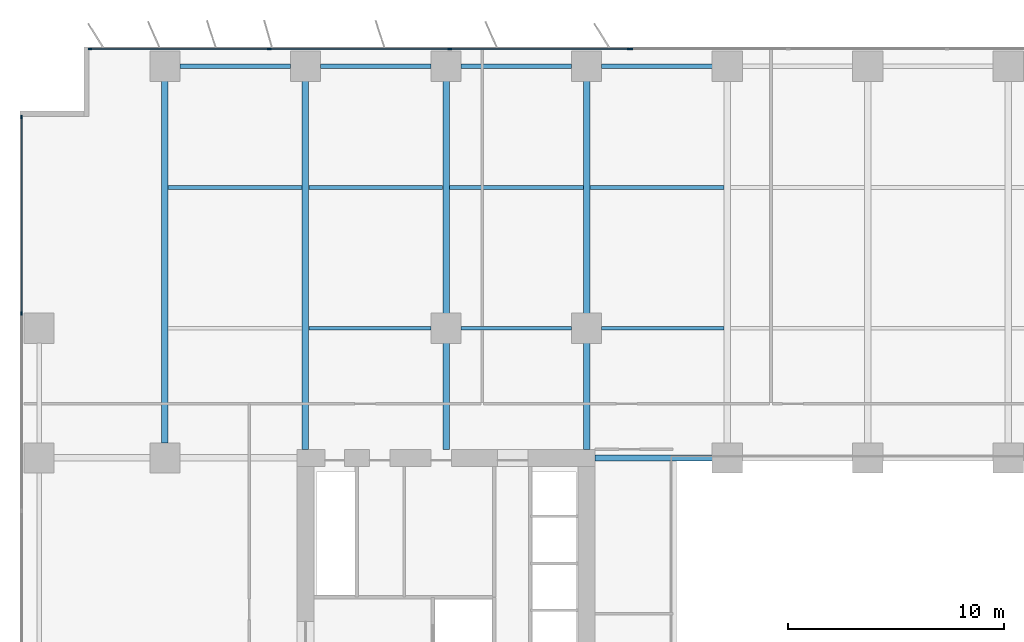
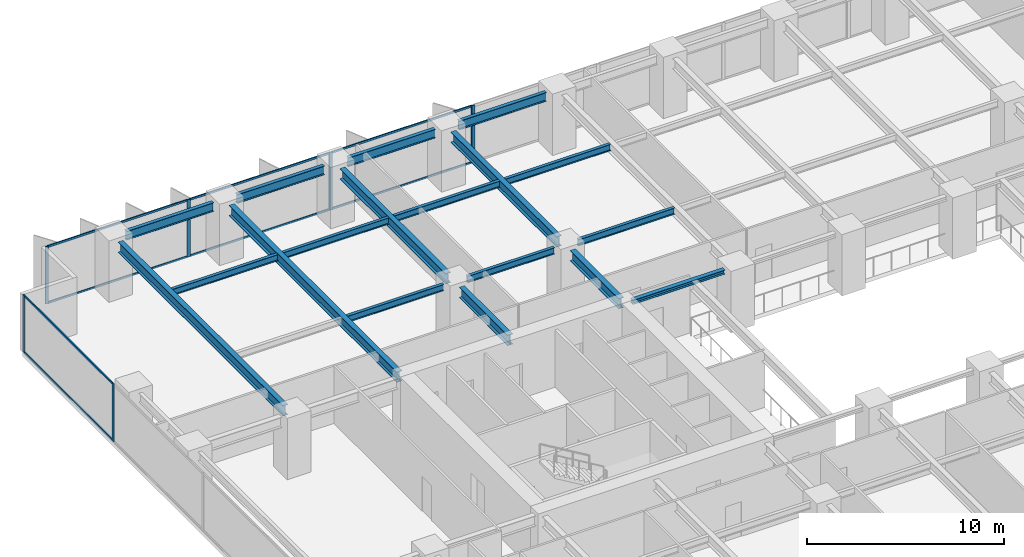
# One storey, part 7 of 20: 18 beams, 15 members, 3 elements without a shape of their own.
"""IFC4 building model written with IfcOpenShell, lengths in metres."""

from ifc_helpers import new_model, si_unit, direction, frame, origin, origin_2d, place, context, subcontext, project, spatial, rectangle, i_section, extrude, material, layer, layer_set, material_profile, profile_set, type_object, element, aggregate, save


model = new_model("IFC4")

# Units and contexts
model_context = context("Model", 3, precision=1e-05, world=origin(), true_north=direction((0.0, 1.0)))
body_context = subcontext(model_context, "Body", "Model", "MODEL_VIEW")
ifc_project = project(units=[si_unit("LENGTHUNIT", "METRE"), si_unit("AREAUNIT", "SQUARE_METRE"), si_unit("VOLUMEUNIT", "CUBIC_METRE"), si_unit("PLANEANGLEUNIT", "RADIAN"), si_unit("MASSUNIT", "GRAM", prefix="KILO")], contexts=[model_context])

# Site, building, storey
site_placement = place(None, origin())
site = spatial("IfcSite", under=ifc_project, at=site_placement, CompositionType="ELEMENT")
building_placement = place(site_placement, origin())
building = spatial("IfcBuilding", under=site, at=building_placement, Name="Putna Gate Headquarters", CompositionType="ELEMENT")
storey_placement = place(building_placement, frame((0.0, 0.0, 69.60009765625)))
storey = spatial("IfcBuildingStorey", under=building, at=storey_placement, Name="L16", CompositionType="ELEMENT", Elevation=69.60009765625)

# Beams
ifc_material_1 = material(Name="Steel S355J2", Category="steel")
ifc_material_profile_1 = material_profile(ifc_material_1, i_section(OverallWidth=0.260009765625, OverallDepth=0.260009765625, WebThickness=0.010009765625, FlangeThickness=0.017578125, at=origin_2d()), Name="Steel S355J2")
ifc_profile_set_1 = profile_set([ifc_material_profile_1], Name="Steel S355J2")
beam_type_1 = type_object("IfcBeamType", Name="BM-ATRIUM-HEB260", PredefinedType="BEAM", material=ifc_profile_set_1)
beam_1_placement = place(storey_placement, frame((26.385009765625, 33.0, 3.419921875), z_axis=(1.0, 0.0, 0.0), x_axis=(0.0, 1.0, 0.0)))
element("IfcBeam", 1, at=beam_1_placement, inside=storey, type_object=beam_type_1, Name="L16 Atrium Edge Beam AN1", PredefinedType="BEAM", context=body_context, shape_type="SweptSolid", body=[
    extrude(i_section(OverallWidth=0.260009765625, OverallDepth=0.260009765625, WebThickness=0.010009765625, FlangeThickness=0.017578125, at=origin_2d()), origin(), (0.0, 0.0, 1.0), 5.427001953125),
])
ifc_material_profile_2 = material_profile(ifc_material_1, i_section(OverallWidth=0.300048828125, OverallDepth=0.64990234375, WebThickness=0.01611328125, FlangeThickness=0.031005859375, at=origin_2d()), Name="Steel S355J2")
ifc_profile_set_2 = profile_set([ifc_material_profile_2], Name="Steel S355J2")
beam_type_2 = type_object("IfcBeamType", Name="BM-GIRD-Z1-HEB650", PredefinedType="USERDEFINED", material=ifc_profile_set_2)
beam_2_placement = place(storey_placement, frame((6.5, 33.68798828125, 3.224853515625), z_axis=(0.0, 1.0, 0.0), x_axis=(-1.0, 0.0, 0.0)))
element("IfcBeam", 2, at=beam_2_placement, inside=storey, type_object=beam_type_2, Name="L16 North Primary Girder X6", ObjectType="GIRDER", PredefinedType="USERDEFINED", context=body_context, shape_type="SweptSolid", body=[
    extrude(i_section(OverallWidth=0.300048828125, OverallDepth=0.64990234375, WebThickness=0.01611328125, FlangeThickness=0.031005859375, at=origin_2d()), origin(), (0.0, 0.0, 1.0), 16.743896484375),
])
beam_3_placement = place(storey_placement, frame((13.0, 33.385009765625, 3.224853515625), z_axis=(0.0, 1.0, 0.0), x_axis=(-1.0, 0.0, 0.0)))
element("IfcBeam", 3, at=beam_3_placement, inside=storey, type_object=beam_type_2, Name="L16 North Primary Girder X13", ObjectType="GIRDER", PredefinedType="USERDEFINED", context=body_context, shape_type="SweptSolid", body=[
    extrude(i_section(OverallWidth=0.300048828125, OverallDepth=0.64990234375, WebThickness=0.01611328125, FlangeThickness=0.031005859375, at=origin_2d()), origin(), (0.0, 0.0, 1.0), 17.046875),
])
beam_4_placement = place(storey_placement, frame((19.5, 33.385009765625, 3.224853515625), z_axis=(0.0, 1.0, 0.0), x_axis=(-1.0, 0.0, 0.0)))
element("IfcBeam", 4, at=beam_4_placement, inside=storey, type_object=beam_type_2, Name="L16 North Primary Girder X19-1", ObjectType="GIRDER", PredefinedType="USERDEFINED", context=body_context, shape_type="SweptSolid", body=[
    extrude(i_section(OverallWidth=0.300048828125, OverallDepth=0.64990234375, WebThickness=0.01611328125, FlangeThickness=0.031005859375, at=origin_2d()), origin(), (0.0, 0.0, 1.0), 4.927001953125),
])
beam_5_placement = place(storey_placement, frame((19.5, 39.68798828125, 3.224853515625), z_axis=(0.0, 1.0, 0.0), x_axis=(-1.0, 0.0, 0.0)))
element("IfcBeam", 5, at=beam_5_placement, inside=storey, type_object=beam_type_2, Name="L16 North Primary Girder X19-2", ObjectType="GIRDER", PredefinedType="USERDEFINED", context=body_context, shape_type="SweptSolid", body=[
    extrude(i_section(OverallWidth=0.300048828125, OverallDepth=0.64990234375, WebThickness=0.01611328125, FlangeThickness=0.031005859375, at=origin_2d()), origin(), (0.0, 0.0, 1.0), 10.743896484375),
])
beam_6_placement = place(storey_placement, frame((26.0, 33.385009765625, 3.224853515625), z_axis=(0.0, 1.0, 0.0), x_axis=(-1.0, 0.0, 0.0)))
element("IfcBeam", 6, at=beam_6_placement, inside=storey, type_object=beam_type_2, Name="L16 North Primary Girder X26-1", ObjectType="GIRDER", PredefinedType="USERDEFINED", context=body_context, shape_type="SweptSolid", body=[
    extrude(i_section(OverallWidth=0.300048828125, OverallDepth=0.64990234375, WebThickness=0.01611328125, FlangeThickness=0.031005859375, at=origin_2d()), origin(), (0.0, 0.0, 1.0), 4.927001953125),
])
beam_7_placement = place(storey_placement, frame((26.0, 39.68798828125, 3.224853515625), z_axis=(0.0, 1.0, 0.0), x_axis=(-1.0, 0.0, 0.0)))
element("IfcBeam", 7, at=beam_7_placement, inside=storey, type_object=beam_type_2, Name="L16 North Primary Girder X26-2", ObjectType="GIRDER", PredefinedType="USERDEFINED", context=body_context, shape_type="SweptSolid", body=[
    extrude(i_section(OverallWidth=0.300048828125, OverallDepth=0.64990234375, WebThickness=0.01611328125, FlangeThickness=0.031005859375, at=origin_2d()), origin(), (0.0, 0.0, 1.0), 10.743896484375),
])
ifc_material_profile_3 = material_profile(ifc_material_1, i_section(OverallWidth=0.179931640625, OverallDepth=0.39990234375, WebThickness=0.008544921875, FlangeThickness=0.013427734375, at=origin_2d()), Name="Steel S355J2")
ifc_profile_set_3 = profile_set([ifc_material_profile_3], Name="Steel S355J2")
beam_type_3 = type_object("IfcBeamType", Name="BM-SEC-Z1-IPE400", PredefinedType="BEAM", material=ifc_profile_set_3)
beam_8_placement = place(storey_placement, frame((6.654052734375, 45.5, 3.349853515625), z_axis=(1.0, 0.0, 0.0), x_axis=(0.0, 1.0, 0.0)))
element("IfcBeam", 8, at=beam_8_placement, inside=storey, type_object=beam_type_3, Name="L16 North Secondary Beam 1", PredefinedType="BEAM", context=body_context, shape_type="SweptSolid", body=[
    extrude(i_section(OverallWidth=0.179931640625, OverallDepth=0.39990234375, WebThickness=0.008544921875, FlangeThickness=0.013427734375, at=origin_2d()), origin(), (0.0, 0.0, 1.0), 6.19189453125),
])
beam_9_placement = place(storey_placement, frame((13.154052734375, 39.0, 3.349853515625), z_axis=(1.0, 0.0, 0.0), x_axis=(0.0, 1.0, 0.0)))
element("IfcBeam", 9, at=beam_9_placement, inside=storey, type_object=beam_type_3, Name="L16 North Secondary Beam 2", PredefinedType="BEAM", context=body_context, shape_type="SweptSolid", body=[
    extrude(i_section(OverallWidth=0.179931640625, OverallDepth=0.39990234375, WebThickness=0.008544921875, FlangeThickness=0.013427734375, at=origin_2d()), origin(), (0.0, 0.0, 1.0), 5.657958984375),
])
beam_10_placement = place(storey_placement, frame((13.154052734375, 45.5, 3.349853515625), z_axis=(1.0, 0.0, 0.0), x_axis=(0.0, 1.0, 0.0)))
element("IfcBeam", 10, at=beam_10_placement, inside=storey, type_object=beam_type_3, Name="L16 North Secondary Beam 2", PredefinedType="BEAM", context=body_context, shape_type="SweptSolid", body=[
    extrude(i_section(OverallWidth=0.179931640625, OverallDepth=0.39990234375, WebThickness=0.008544921875, FlangeThickness=0.013427734375, at=origin_2d()), origin(), (0.0, 0.0, 1.0), 6.19189453125),
])
beam_11_placement = place(storey_placement, frame((20.18798828125, 39.0, 3.349853515625), z_axis=(1.0, 0.0, 0.0), x_axis=(0.0, 1.0, 0.0)))
element("IfcBeam", 11, at=beam_11_placement, inside=storey, type_object=beam_type_3, Name="L16 North Secondary Beam 3", PredefinedType="BEAM", context=body_context, shape_type="SweptSolid", body=[
    extrude(i_section(OverallWidth=0.179931640625, OverallDepth=0.39990234375, WebThickness=0.008544921875, FlangeThickness=0.013427734375, at=origin_2d()), origin(), (0.0, 0.0, 1.0), 5.1240234375),
])
beam_12_placement = place(storey_placement, frame((19.654052734375, 45.5, 3.349853515625), z_axis=(1.0, 0.0, 0.0), x_axis=(0.0, 1.0, 0.0)))
element("IfcBeam", 12, at=beam_12_placement, inside=storey, type_object=beam_type_3, Name="L16 North Secondary Beam 3", PredefinedType="BEAM", context=body_context, shape_type="SweptSolid", body=[
    extrude(i_section(OverallWidth=0.179931640625, OverallDepth=0.39990234375, WebThickness=0.008544921875, FlangeThickness=0.013427734375, at=origin_2d()), origin(), (0.0, 0.0, 1.0), 6.19189453125),
])
beam_13_placement = place(storey_placement, frame((26.68798828125, 39.0, 3.349853515625), z_axis=(1.0, 0.0, 0.0), x_axis=(0.0, 1.0, 0.0)))
element("IfcBeam", 13, at=beam_13_placement, inside=storey, type_object=beam_type_3, Name="L16 North Secondary Beam 4", PredefinedType="BEAM", context=body_context, shape_type="SweptSolid", body=[
    extrude(i_section(OverallWidth=0.179931640625, OverallDepth=0.39990234375, WebThickness=0.008544921875, FlangeThickness=0.013427734375, at=origin_2d()), origin(), (0.0, 0.0, 1.0), 5.657958984375),
])
beam_14_placement = place(storey_placement, frame((26.154052734375, 45.5, 3.349853515625), z_axis=(1.0, 0.0, 0.0), x_axis=(0.0, 1.0, 0.0)))
element("IfcBeam", 14, at=beam_14_placement, inside=storey, type_object=beam_type_3, Name="L16 North Secondary Beam 4", PredefinedType="BEAM", context=body_context, shape_type="SweptSolid", body=[
    extrude(i_section(OverallWidth=0.179931640625, OverallDepth=0.39990234375, WebThickness=0.008544921875, FlangeThickness=0.013427734375, at=origin_2d()), origin(), (0.0, 0.0, 1.0), 6.19189453125),
])
ifc_material_profile_4 = material_profile(ifc_material_1, i_section(OverallWidth=0.2099609375, OverallDepth=0.550048828125, WebThickness=0.010986328125, FlangeThickness=0.01708984375, at=origin_2d()), Name="Steel S355J2")
ifc_profile_set_4 = profile_set([ifc_material_profile_4], Name="Steel S355J2")
beam_type_4 = type_object("IfcBeamType", Name="BM-SPAN-Z1-IPE550", PredefinedType="SPANDREL", material=ifc_profile_set_4)
for number, where, z_axis, x_axis, name in (
    (15, (7.18798828125, 51.1201171875, 3.27490234375), (1.0, 0.0, 0.0), (0.0, 1.0, 0.0), "L16 N Perimeter Spandrel 1"),
    (16, (13.68798828125, 51.1201171875, 3.27490234375), (1.0, 0.0, 0.0), (0.0, 1.0, 0.0), "L16 N Perimeter Spandrel 2"),
    (17, (20.18798828125, 51.1201171875, 3.27490234375), (1.0, 0.0, 0.0), (0.0, 1.0, 0.0), "L16 N Perimeter Spandrel 3"),
    (18, (26.68798828125, 51.1201171875, 3.27490234375), (1.0, 0.0, 0.0), (0.0, 1.0, 0.0), "L16 N Perimeter Spandrel 4"),
):
    element("IfcBeam", number, at=place(storey_placement, frame(where, z_axis=z_axis, x_axis=x_axis)), inside=storey, type_object=beam_type_4, Name=name, PredefinedType="SPANDREL", context=body_context, shape_type="SweptSolid", body=[
        extrude(i_section(OverallWidth=0.2099609375, OverallDepth=0.550048828125, WebThickness=0.010986328125, FlangeThickness=0.01708984375, at=origin_2d()), origin(), (0.0, 0.0, 1.0), 5.1240234375),
    ])

# Curtain wall, members
ifc_material_2 = material(Name="Anodised bronze aluminium curtain wall", Category="aluminium")
ifc_layer_1 = layer(ifc_material_2, 0.179931640625)
ifc_layer_set_1 = layer_set([ifc_layer_1], Name="Anodised bronze aluminium curtain wall")
curtain_wall_type_1 = type_object("IfcCurtainWallType", Name="CW-SYS-Z1", PredefinedType="USERDEFINED", material=ifc_layer_set_1)
curtain_wall_1_placement = place(storey_placement, origin())
curtain_wall_1 = element("IfcCurtainWall", 19, at=curtain_wall_1_placement, inside=storey, type_object=curtain_wall_type_1, Name="L16 North West Curtain Wall", ObjectType="STICK CURTAIN WALL", PredefinedType="USERDEFINED")
ifc_material_3 = material(Name="Anodised bronze aluminium EN AW-6060", Category="aluminium")
ifc_material_profile_5 = material_profile(ifc_material_3, rectangle(XDim=0.070068359375, YDim=0.179931640625, at=origin_2d()), Name="Anodised bronze aluminium EN AW-6060")
ifc_profile_set_5 = profile_set([ifc_material_profile_5], Name="Anodised bronze aluminium EN AW-6060")
member_type_1 = type_object("IfcMemberType", Name="MULL-CWM-1", PredefinedType="MULLION", material=ifc_profile_set_5)
member_1_placement = place(storey_placement, frame((3.034912109375, 51.919921875, 0.0), z_axis=(0.0, 0.0, 1.0), x_axis=(0.0, 1.0, 0.0)))
member_1 = element("IfcMember", 20, at=member_1_placement, type_object=member_type_1, Name="CWS-1 mullion 1", PredefinedType="MULLION", context=body_context, shape_type="SweptSolid", body=[
    extrude(rectangle(XDim=0.070068359375, YDim=0.179931640625, at=origin_2d()), origin(), (0.0, 0.0, 1.0), 3.5498046875),
])
member_2_placement = place(storey_placement, frame((11.333251953125, 51.919921875, 0.0), z_axis=(0.0, 0.0, 1.0), x_axis=(0.0, 1.0, 0.0)))
member_2 = element("IfcMember", 21, at=member_2_placement, type_object=member_type_1, Name="CWS-1 mullion 2", PredefinedType="MULLION", context=body_context, shape_type="SweptSolid", body=[
    extrude(rectangle(XDim=0.070068359375, YDim=0.179931640625, at=origin_2d()), origin(), (0.0, 0.0, 1.0), 3.5498046875),
])
member_3_placement = place(storey_placement, frame((19.666748046875, 51.919921875, 0.0), z_axis=(0.0, 0.0, 1.0), x_axis=(0.0, 1.0, 0.0)))
member_3 = element("IfcMember", 22, at=member_3_placement, type_object=member_type_1, Name="CWS-1 mullion 3", PredefinedType="MULLION", context=body_context, shape_type="SweptSolid", body=[
    extrude(rectangle(XDim=0.070068359375, YDim=0.179931640625, at=origin_2d()), origin(), (0.0, 0.0, 1.0), 3.5498046875),
])
member_4_placement = place(storey_placement, frame((27.965087890625, 51.919921875, 0.0), z_axis=(0.0, 0.0, 1.0), x_axis=(0.0, 1.0, 0.0)))
member_4 = element("IfcMember", 23, at=member_4_placement, type_object=member_type_1, Name="CWS-1 mullion 4", PredefinedType="MULLION", context=body_context, shape_type="SweptSolid", body=[
    extrude(rectangle(XDim=0.070068359375, YDim=0.179931640625, at=origin_2d()), origin(), (0.0, 0.0, 1.0), 3.5498046875),
])

curtain_wall_2_placement = place(storey_placement, origin())
curtain_wall_2 = element("IfcCurtainWall", 24, at=curtain_wall_2_placement, inside=storey, type_object=curtain_wall_type_1, Name="L16 West Curtain Wall", ObjectType="STICK CURTAIN WALL", PredefinedType="USERDEFINED")
member_5_placement = place(storey_placement, frame((-0.1201171875, 39.679931640625, 0.0), z_axis=(0.0, 0.0, 1.0), x_axis=(-1.0, 0.0, 0.0)))
member_5 = element("IfcMember", 25, at=member_5_placement, type_object=member_type_1, Name="CWS-1 mullion 5", PredefinedType="MULLION", context=body_context, shape_type="SweptSolid", body=[
    extrude(rectangle(XDim=0.070068359375, YDim=0.179931640625, at=origin_2d()), origin(), (0.0, 0.0, 1.0), 3.5498046875),
])
member_6_placement = place(storey_placement, frame((-0.1201171875, 48.764892578125, 0.0), z_axis=(0.0, 0.0, 1.0), x_axis=(-1.0, 0.0, 0.0)))
member_6 = element("IfcMember", 26, at=member_6_placement, type_object=member_type_1, Name="CWS-1 mullion 6", PredefinedType="MULLION", context=body_context, shape_type="SweptSolid", body=[
    extrude(rectangle(XDim=0.070068359375, YDim=0.179931640625, at=origin_2d()), origin(), (0.0, 0.0, 1.0), 3.5498046875),
])

# Curtain wall, member
ifc_layer_2 = layer(ifc_material_2, 0.179931640625)
ifc_layer_set_2 = layer_set([ifc_layer_2], Name="Anodised bronze aluminium curtain wall")
curtain_wall_type_2 = type_object("IfcCurtainWallType", Name="CW-SYS-ATR", PredefinedType="USERDEFINED", material=ifc_layer_set_2)
curtain_wall_3_placement = place(storey_placement, origin())
curtain_wall_3 = element("IfcCurtainWall", 27, at=curtain_wall_3_placement, inside=storey, type_object=curtain_wall_type_2, Name="L16 North Atrium Clear Glazing", ObjectType="ATRIUM GLAZING", PredefinedType="USERDEFINED")
ifc_material_profile_6 = material_profile(ifc_material_3, rectangle(XDim=0.070068359375, YDim=0.179931640625, at=origin_2d()), Name="Anodised bronze aluminium EN AW-6060")
ifc_profile_set_6 = profile_set([ifc_material_profile_6], Name="Anodised bronze aluminium EN AW-6060")
member_type_2 = type_object("IfcMemberType", Name="MULL-CWM-AT", PredefinedType="MULLION", material=ifc_profile_set_6)
member_7_placement = place(storey_placement, frame((28.034912109375, 51.919921875, 0.0), z_axis=(0.0, 0.0, 1.0), x_axis=(0.0, 1.0, 0.0)))
member_7 = element("IfcMember", 28, at=member_7_placement, type_object=member_type_2, Name="CWS-AT mullion 1", PredefinedType="MULLION", context=body_context, shape_type="SweptSolid", body=[
    extrude(rectangle(XDim=0.070068359375, YDim=0.179931640625, at=origin_2d()), origin(), (0.0, 0.0, 1.0), 3.5498046875),
])
aggregate(curtain_wall_3, [member_7])

# Member
ifc_material_profile_7 = material_profile(ifc_material_3, rectangle(XDim=0.06494140625, YDim=0.1201171875, at=origin_2d()), Name="Anodised bronze aluminium EN AW-6060")
ifc_profile_set_7 = profile_set([ifc_material_profile_7], Name="Anodised bronze aluminium EN AW-6060")
member_type_3 = type_object("IfcMemberType", Name="TRAN-CWT-1", PredefinedType="USERDEFINED", material=ifc_profile_set_7)
member_8_placement = place(storey_placement, frame((3.070068359375, 51.919921875, 0.032470703125), z_axis=(1.0, 0.0, 0.0), x_axis=(0.0, 1.0, 0.0)))
member_8 = element("IfcMember", 29, at=member_8_placement, type_object=member_type_3, Name="CWS-1 transom 1.1", ObjectType="TRANSOM", PredefinedType="USERDEFINED", context=body_context, shape_type="SweptSolid", body=[
    extrude(rectangle(XDim=0.06494140625, YDim=0.1201171875, at=origin_2d()), origin(), (0.0, 0.0, 1.0), 8.228271484375),
])

member_9_placement = place(storey_placement, frame((3.070068359375, 51.919921875, 3.517333984375), z_axis=(1.0, 0.0, 0.0), x_axis=(0.0, 1.0, 0.0)))
member_9 = element("IfcMember", 30, at=member_9_placement, type_object=member_type_3, Name="CWS-1 transom 1.2", ObjectType="TRANSOM", PredefinedType="USERDEFINED", context=body_context, shape_type="SweptSolid", body=[
    extrude(rectangle(XDim=0.06494140625, YDim=0.1201171875, at=origin_2d()), origin(), (0.0, 0.0, 1.0), 8.228271484375),
])

member_10_placement = place(storey_placement, frame((11.368408203125, 51.919921875, 0.032470703125), z_axis=(1.0, 0.0, 0.0), x_axis=(0.0, 1.0, 0.0)))
member_10 = element("IfcMember", 31, at=member_10_placement, type_object=member_type_3, Name="CWS-1 transom 2.1", ObjectType="TRANSOM", PredefinedType="USERDEFINED", context=body_context, shape_type="SweptSolid", body=[
    extrude(rectangle(XDim=0.06494140625, YDim=0.1201171875, at=origin_2d()), origin(), (0.0, 0.0, 1.0), 8.26318359375),
])

member_11_placement = place(storey_placement, frame((11.368408203125, 51.919921875, 3.517333984375), z_axis=(1.0, 0.0, 0.0), x_axis=(0.0, 1.0, 0.0)))
member_11 = element("IfcMember", 32, at=member_11_placement, type_object=member_type_3, Name="CWS-1 transom 2.2", ObjectType="TRANSOM", PredefinedType="USERDEFINED", context=body_context, shape_type="SweptSolid", body=[
    extrude(rectangle(XDim=0.06494140625, YDim=0.1201171875, at=origin_2d()), origin(), (0.0, 0.0, 1.0), 8.26318359375),
])

member_12_placement = place(storey_placement, frame((19.70166015625, 51.919921875, 0.032470703125), z_axis=(1.0, 0.0, 0.0), x_axis=(0.0, 1.0, 0.0)))
member_12 = element("IfcMember", 33, at=member_12_placement, type_object=member_type_3, Name="CWS-1 transom 3.1", ObjectType="TRANSOM", PredefinedType="USERDEFINED", context=body_context, shape_type="SweptSolid", body=[
    extrude(rectangle(XDim=0.06494140625, YDim=0.1201171875, at=origin_2d()), origin(), (0.0, 0.0, 1.0), 8.228271484375),
])

member_13_placement = place(storey_placement, frame((19.70166015625, 51.919921875, 3.517333984375), z_axis=(1.0, 0.0, 0.0), x_axis=(0.0, 1.0, 0.0)))
member_13 = element("IfcMember", 34, at=member_13_placement, type_object=member_type_3, Name="CWS-1 transom 3.2", ObjectType="TRANSOM", PredefinedType="USERDEFINED", context=body_context, shape_type="SweptSolid", body=[
    extrude(rectangle(XDim=0.06494140625, YDim=0.1201171875, at=origin_2d()), origin(), (0.0, 0.0, 1.0), 8.228271484375),
])

aggregate(curtain_wall_1, [member_1, member_2, member_3, member_4, member_8, member_9, member_10, member_11, member_12, member_13])

member_14_placement = place(storey_placement, frame((-0.1201171875, 39.715087890625, 0.032470703125), z_axis=(0.0, 1.0, 0.0), x_axis=(-1.0, 0.0, 0.0)))
member_14 = element("IfcMember", 35, at=member_14_placement, type_object=member_type_3, Name="CWS-1 transom 5.1", ObjectType="TRANSOM", PredefinedType="USERDEFINED", context=body_context, shape_type="SweptSolid", body=[
    extrude(rectangle(XDim=0.06494140625, YDim=0.1201171875, at=origin_2d()), origin(), (0.0, 0.0, 1.0), 9.014892578125),
])

member_15_placement = place(storey_placement, frame((-0.1201171875, 39.715087890625, 3.517333984375), z_axis=(0.0, 1.0, 0.0), x_axis=(-1.0, 0.0, 0.0)))
member_15 = element("IfcMember", 36, at=member_15_placement, type_object=member_type_3, Name="CWS-1 transom 5.2", ObjectType="TRANSOM", PredefinedType="USERDEFINED", context=body_context, shape_type="SweptSolid", body=[
    extrude(rectangle(XDim=0.06494140625, YDim=0.1201171875, at=origin_2d()), origin(), (0.0, 0.0, 1.0), 9.014892578125),
])

aggregate(curtain_wall_2, [member_5, member_6, member_14, member_15])

save(model, "model.ifc")
